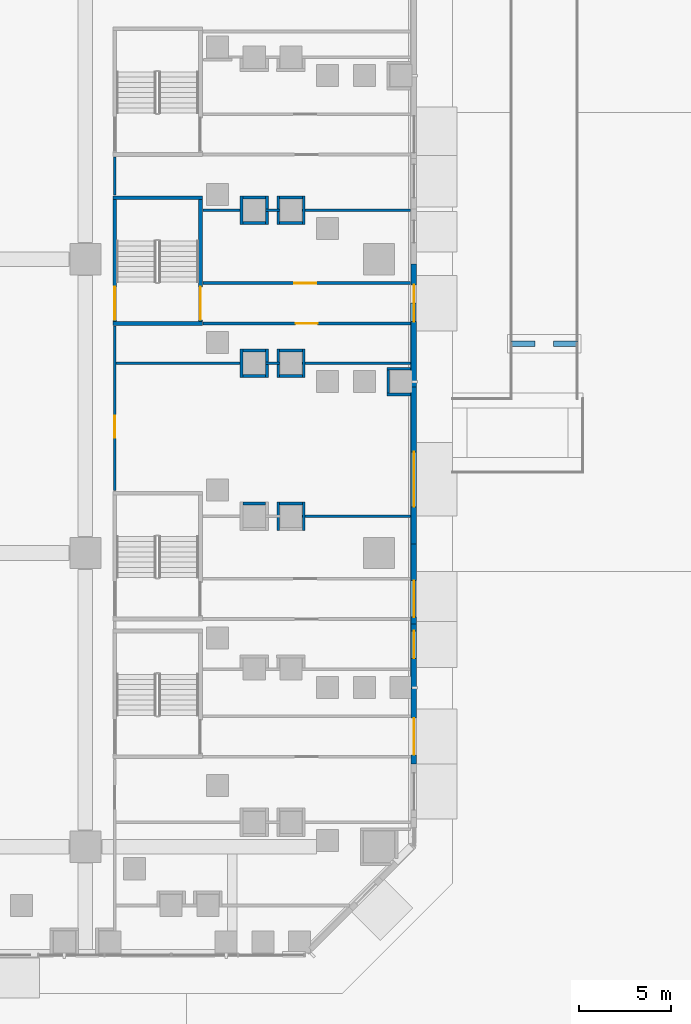
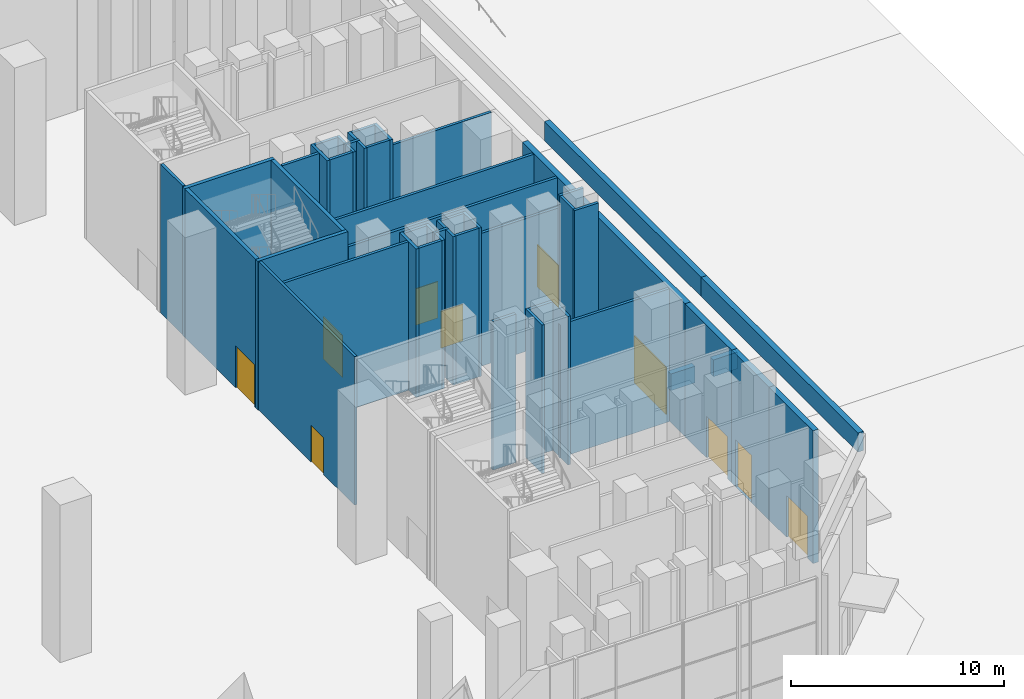
# One storey, part 22 of 51: 47 walls, 10 doors, 10 openings, 1 element without a shape of its own.
"""IFC4 building model written with IfcOpenShell, lengths in metres."""

from ifc_helpers import new_model, si_unit, direction, frame, frame_2d, origin, place, context, subcontext, project, spatial, rectangle, extrude, material, layer, layer_set, type_object, element, fill, aggregate, save


model = new_model("IFC4")

# Units and contexts
model_context = context("Model", 3, precision=1e-05, world=origin(), true_north=direction((0.0, 1.0)))
body_context = subcontext(model_context, "Body", "Model", "MODEL_VIEW")
ifc_project = project(units=[si_unit("LENGTHUNIT", "METRE"), si_unit("AREAUNIT", "SQUARE_METRE"), si_unit("VOLUMEUNIT", "CUBIC_METRE"), si_unit("PLANEANGLEUNIT", "RADIAN"), si_unit("MASSUNIT", "GRAM", prefix="KILO")], contexts=[model_context])

# Site, building, storey
site_placement = place(None, origin())
site = spatial("IfcSite", under=ifc_project, at=site_placement, CompositionType="ELEMENT")
building_placement = place(site_placement, origin())
building = spatial("IfcBuilding", under=site, at=building_placement, Name="Calabash Gate Tower", CompositionType="ELEMENT")
storey_placement = place(building_placement, origin())
storey = spatial("IfcBuildingStorey", under=building, at=storey_placement, Name="L00", CompositionType="ELEMENT", Elevation=0.0)

# Walls
ifc_material_1 = material(Name="Gypsum board on steel studs, mineral wool", Category="steel")
ifc_layer_1 = layer(ifc_material_1, 0.14990234375)
ifc_layer_set_1 = layer_set([ifc_layer_1], Name="Partition 150 gypsum board")
wall_type_1 = type_object("IfcWallType", Name="Partition 150 gypsum board", PredefinedType="PARTITIONING", material=ifc_layer_set_1)
for number, where, z_axis, x_axis, name in (
    (1, (42.5, -22.77587890625, 0.0), (0.0, 0.0, 1.0), (0.0, 1.0, 0.0), "Partition"),
    (2, (43.89990234375, -22.77587890625, 0.0), (0.0, 0.0, 1.0), (0.0, 1.0, 0.0), "Partition"),
):
    element("IfcWall", number, at=place(storey_placement, frame(where, z_axis=z_axis, x_axis=x_axis)), inside=storey, type_object=wall_type_1, Name=name, PredefinedType="PARTITIONING", context=body_context, shape_type="SweptSolid", body=[
        extrude(rectangle(XDim=1.5498046875, YDim=0.14990234375, at=frame_2d((0.77490234375, 0.0))), origin(), (0.0, 0.0, 1.0), 8.5),
    ])
wall_1_placement = place(storey_placement, frame((43.800048828125, -22.0, 0.0), z_axis=(0.0, 0.0, 1.0), x_axis=(1.0, 0.0, 0.0)))
element("IfcWall", 3, at=wall_1_placement, inside=storey, type_object=wall_type_1, Name="Partition", PredefinedType="PARTITIONING", context=body_context, shape_type="SweptSolid", body=[
    extrude(rectangle(XDim=5.919921875, YDim=0.14990234375, at=frame_2d((2.9599609375, 0.0))), origin(), (0.0, 0.0, 1.0), 7.60009765625),
])
for number, where, z_axis, x_axis, name in (
    (4, (40.574951171875, -21.301025390625, 0.0), (0.0, 0.0, 1.0), (1.0, 0.0, 0.0), "Partition"),
    (5, (42.574951171875, -21.301025390625, 0.0), (0.0, 0.0, 1.0), (1.0, 0.0, 0.0), "Partition"),
):
    element("IfcWall", number, at=place(storey_placement, frame(where, z_axis=z_axis, x_axis=x_axis)), inside=storey, type_object=wall_type_1, Name=name, PredefinedType="PARTITIONING", context=body_context, shape_type="SweptSolid", body=[
        extrude(rectangle(XDim=1.25, YDim=0.14990234375, at=frame_2d((0.625, 0.0))), origin(), (0.0, 0.0, 1.0), 8.5),
    ])

# Wall, opening, door
wall_2_placement = place(storey_placement, frame((33.60009765625, -20.610107421875, 0.0), z_axis=(0.0, 0.0, 1.0), x_axis=(0.0, 1.0, 0.0)))
wall_2 = element("IfcWall", 6, at=wall_2_placement, inside=storey, type_object=wall_type_1, Name="Partition", PredefinedType="PARTITIONING", context=body_context, shape_type="SweptSolid", body=[
    extrude(rectangle(XDim=8.97021484375, YDim=0.14990234375, at=frame_2d((4.485107421875, 0.0))), origin(), (0.0, 0.0, 1.0), 8.5),
])
opening_1_placement = place(wall_2_placement, frame((2.889892578125, 0.0, 0.0)))
opening_1 = element("IfcOpeningElement", 7, at=opening_1_placement, cuts=wall_2, Name="Opening L00-101", PredefinedType="OPENING", context=body_context, shape_type="SweptSolid", body=[
    extrude(rectangle(XDim=1.199951171875, YDim=2.10009765625, at=frame_2d((0.60009765625, 1.050048828125))), frame((0.0, 0.0849609375, 0.0), z_axis=(0.0, -1.0, 0.0), x_axis=(1.0, 0.0, 0.0)), (0.0, 0.0, 1.0), 0.169921875),
])
ifc_material_2 = material(Name="Steel fire door set with fire-resisting glazing", Category="steel")
door_type_1 = type_object("IfcDoorType", Name="Fire door D09 1200x2100 FD60", OperationType="NOTDEFINED", PredefinedType="DOOR", material=ifc_material_2)
door_1_placement = place(opening_1_placement, origin())
door_1 = element("IfcDoor", 8, at=door_1_placement, inside=storey, type_object=door_type_1, Name="Shop 14 door", OperationType="SINGLE_SWING_RIGHT", OverallHeight=2.10009765625, OverallWidth=1.199951171875, PredefinedType="DOOR", context=body_context, shape_type="SweptSolid", body=[
    extrude(rectangle(XDim=1.199951171875, YDim=2.10009765625, at=frame_2d((0.60009765625, 1.050048828125))), frame((0.0, 0.02490234375, 0.0), z_axis=(0.0, -1.0, 0.0), x_axis=(1.0, 0.0, 0.0)), (0.0, 0.0, 1.0), 0.050048828125),
])
fill(opening_1, door_1)

# Walls
wall_3_placement = place(storey_placement, frame((48.425048828125, -15.366943359375, 0.0), z_axis=(0.0, 0.0, 1.0), x_axis=(1.0, 0.0, 0.0)))
element("IfcWall", 9, at=wall_3_placement, inside=storey, type_object=wall_type_1, Name="Partition", PredefinedType="PARTITIONING", context=body_context, shape_type="SweptSolid", body=[
    extrude(rectangle(XDim=1.294921875, YDim=0.14990234375, at=frame_2d((0.6474609375, 0.0))), origin(), (0.0, 0.0, 1.0), 8.5),
])
wall_4_placement = place(storey_placement, frame((48.5, -15.2919921875, 0.0), z_axis=(0.0, 0.0, 1.0), x_axis=(0.0, 1.0, 0.0)))
element("IfcWall", 10, at=wall_4_placement, inside=storey, type_object=wall_type_1, Name="Partition", PredefinedType="PARTITIONING", context=body_context, shape_type="SweptSolid", body=[
    extrude(rectangle(XDim=1.25, YDim=0.14990234375, at=frame_2d((0.625, 0.0))), origin(), (0.0, 0.0, 1.0), 8.5),
])
wall_5_placement = place(storey_placement, frame((40.5, -14.44189453125, 0.0), z_axis=(0.0, 0.0, 1.0), x_axis=(0.0, 1.0, 0.0)))
element("IfcWall", 11, at=wall_5_placement, inside=storey, type_object=wall_type_1, Name="Partition", PredefinedType="PARTITIONING", context=body_context, shape_type="SweptSolid", body=[
    extrude(rectangle(XDim=1.5498046875, YDim=0.14990234375, at=frame_2d((0.77490234375, 0.0))), origin(), (0.0, 0.0, 1.0), 8.5),
])
wall_6_placement = place(storey_placement, frame((40.574951171875, -14.366943359375, 0.0), z_axis=(0.0, 0.0, 1.0), x_axis=(1.0, 0.0, 0.0)))
element("IfcWall", 12, at=wall_6_placement, inside=storey, type_object=wall_type_1, Name="Partition", PredefinedType="PARTITIONING", context=body_context, shape_type="SweptSolid", body=[
    extrude(rectangle(XDim=1.25, YDim=0.14990234375, at=frame_2d((0.625, 0.0))), origin(), (0.0, 0.0, 1.0), 8.5),
])
for number, where, z_axis, x_axis, name in (
    (13, (41.89990234375, -14.44189453125, 0.0), (0.0, 0.0, 1.0), (0.0, 1.0, 0.0), "Partition"),
    (14, (42.5, -14.44189453125, 0.0), (0.0, 0.0, 1.0), (0.0, 1.0, 0.0), "Partition"),
):
    element("IfcWall", number, at=place(storey_placement, frame(where, z_axis=z_axis, x_axis=x_axis)), inside=storey, type_object=wall_type_1, Name=name, PredefinedType="PARTITIONING", context=body_context, shape_type="SweptSolid", body=[
        extrude(rectangle(XDim=1.5498046875, YDim=0.14990234375, at=frame_2d((0.77490234375, 0.0))), origin(), (0.0, 0.0, 1.0), 8.5),
    ])
wall_7_placement = place(storey_placement, frame((42.574951171875, -14.366943359375, 0.0), z_axis=(0.0, 0.0, 1.0), x_axis=(1.0, 0.0, 0.0)))
element("IfcWall", 15, at=wall_7_placement, inside=storey, type_object=wall_type_1, Name="Partition", PredefinedType="PARTITIONING", context=body_context, shape_type="SweptSolid", body=[
    extrude(rectangle(XDim=1.25, YDim=0.14990234375, at=frame_2d((0.625, 0.0))), origin(), (0.0, 0.0, 1.0), 8.5),
])
wall_8_placement = place(storey_placement, frame((43.89990234375, -14.44189453125, 0.0), z_axis=(0.0, 0.0, 1.0), x_axis=(0.0, 1.0, 0.0)))
element("IfcWall", 16, at=wall_8_placement, inside=storey, type_object=wall_type_1, Name="Partition", PredefinedType="PARTITIONING", context=body_context, shape_type="SweptSolid", body=[
    extrude(rectangle(XDim=1.5498046875, YDim=0.14990234375, at=frame_2d((0.77490234375, 0.0))), origin(), (0.0, 0.0, 1.0), 8.5),
])
wall_9_placement = place(storey_placement, frame((48.425048828125, -13.967041015625, 0.0), z_axis=(0.0, 0.0, 1.0), x_axis=(1.0, 0.0, 0.0)))
element("IfcWall", 17, at=wall_9_placement, inside=storey, type_object=wall_type_1, Name="Partition", PredefinedType="PARTITIONING", context=body_context, shape_type="SweptSolid", body=[
    extrude(rectangle(XDim=1.294921875, YDim=0.14990234375, at=frame_2d((0.6474609375, 0.0))), origin(), (0.0, 0.0, 1.0), 8.5),
])
wall_10_placement = place(storey_placement, frame((33.675048828125, -13.669921875, 0.0), z_axis=(0.0, 0.0, 1.0), x_axis=(1.0, 0.0, 0.0)))
element("IfcWall", 18, at=wall_10_placement, inside=storey, type_object=wall_type_1, Name="Partition", PredefinedType="PARTITIONING", context=body_context, shape_type="SweptSolid", body=[
    extrude(rectangle(XDim=6.925048828125, YDim=0.14990234375, at=frame_2d((3.46240234375, 0.0))), origin(), (0.0, 0.0, 1.0), 8.5),
])
wall_11_placement = place(storey_placement, frame((41.800048828125, -13.669921875, 0.0), z_axis=(0.0, 0.0, 1.0), x_axis=(1.0, 0.0, 0.0)))
element("IfcWall", 19, at=wall_11_placement, inside=storey, type_object=wall_type_1, Name="Partition", PredefinedType="PARTITIONING", context=body_context, shape_type="SweptSolid", body=[
    extrude(rectangle(XDim=0.800048828125, YDim=0.14990234375, at=frame_2d((0.39990234375, 0.0))), origin(), (0.0, 0.0, 1.0), 8.5),
])
wall_12_placement = place(storey_placement, frame((43.800048828125, -13.669921875, 0.0), z_axis=(0.0, 0.0, 1.0), x_axis=(1.0, 0.0, 0.0)))
element("IfcWall", 20, at=wall_12_placement, inside=storey, type_object=wall_type_1, Name="Partition", PredefinedType="PARTITIONING", context=body_context, shape_type="SweptSolid", body=[
    extrude(rectangle(XDim=5.919921875, YDim=0.14990234375, at=frame_2d((2.9599609375, 0.0))), origin(), (0.0, 0.0, 1.0), 7.60009765625),
])
for number, where, z_axis, x_axis, name in (
    (21, (40.574951171875, -12.967041015625, 0.0), (0.0, 0.0, 1.0), (1.0, 0.0, 0.0), "Partition"),
    (22, (42.574951171875, -12.967041015625, 0.0), (0.0, 0.0, 1.0), (1.0, 0.0, 0.0), "Partition"),
):
    element("IfcWall", number, at=place(storey_placement, frame(where, z_axis=z_axis, x_axis=x_axis)), inside=storey, type_object=wall_type_1, Name=name, PredefinedType="PARTITIONING", context=body_context, shape_type="SweptSolid", body=[
        extrude(rectangle(XDim=1.25, YDim=0.14990234375, at=frame_2d((0.625, 0.0))), origin(), (0.0, 0.0, 1.0), 8.5),
    ])

# Wall, opening, door
wall_13_placement = place(storey_placement, frame((38.409912109375, -11.50048828125, 0.0), z_axis=(0.0, 0.0, 1.0), x_axis=(1.0, 0.0, 0.0)))
wall_13 = element("IfcWall", 23, at=wall_13_placement, inside=storey, type_object=wall_type_1, Name="Partition", PredefinedType="PARTITIONING", context=body_context, shape_type="SweptSolid", body=[
    extrude(rectangle(XDim=11.31005859375, YDim=0.15087890625, at=frame_2d((5.655029296875, 0.0))), origin(), (0.0, 0.0, 1.0), 7.60009765625),
])
opening_2_placement = place(wall_13_placement, frame((5.0400390625, 0.0, 0.0)))
opening_2 = element("IfcOpeningElement", 24, at=opening_2_placement, cuts=wall_13, Name="Opening L00-102", PredefinedType="OPENING", context=body_context, shape_type="SweptSolid", body=[
    extrude(rectangle(XDim=1.199951171875, YDim=2.10009765625, at=frame_2d((0.60009765625, 1.050048828125))), frame((0.0, 0.08544921875, 0.0), z_axis=(0.0, -1.0, 0.0), x_axis=(1.0, 0.0, 0.0)), (0.0, 0.0, 1.0), 0.1708984375),
])
door_2_placement = place(opening_2_placement, origin())
door_2 = element("IfcDoor", 25, at=door_2_placement, inside=storey, type_object=door_type_1, Name="Shop 15 door", OperationType="SINGLE_SWING_LEFT", OverallHeight=2.10009765625, OverallWidth=1.199951171875, PredefinedType="DOOR", context=body_context, shape_type="SweptSolid", body=[
    extrude(rectangle(XDim=1.199951171875, YDim=2.10009765625, at=frame_2d((0.60009765625, 1.050048828125))), frame((0.0, 0.02490234375, 0.0), z_axis=(0.0, -1.0, 0.0), x_axis=(1.0, 0.0, 0.0)), (0.0, 0.0, 1.0), 0.050048828125),
])
fill(opening_2, door_2)

wall_14_placement = place(storey_placement, frame((38.409912109375, -9.299560546875, 0.0), z_axis=(0.0, 0.0, 1.0), x_axis=(1.0, 0.0, 0.0)))
wall_14 = element("IfcWall", 26, at=wall_14_placement, inside=storey, type_object=wall_type_1, Name="Partition", PredefinedType="PARTITIONING", context=body_context, shape_type="SweptSolid", body=[
    extrude(rectangle(XDim=11.31005859375, YDim=0.15087890625, at=frame_2d((5.655029296875, 0.0))), origin(), (0.0, 0.0, 1.0), 7.60009765625),
])
opening_3_placement = place(wall_14_placement, frame((4.9609375, 0.0, 0.0)))
opening_3 = element("IfcOpeningElement", 27, at=opening_3_placement, cuts=wall_14, Name="Opening L00-103", PredefinedType="OPENING", context=body_context, shape_type="SweptSolid", body=[
    extrude(rectangle(XDim=1.199951171875, YDim=2.10009765625, at=frame_2d((0.60009765625, 1.050048828125))), frame((0.0, 0.08544921875, 0.0), z_axis=(0.0, -1.0, 0.0), x_axis=(1.0, 0.0, 0.0)), (0.0, 0.0, 1.0), 0.1708984375),
])
ifc_material_3 = material(Name="Painted timber door", Category="wood")
door_type_2 = type_object("IfcDoorType", Name="Door D19 1200x2100", OperationType="NOTDEFINED", PredefinedType="DOOR", material=ifc_material_3)
door_3_placement = place(opening_3_placement, origin())
door_3 = element("IfcDoor", 28, at=door_3_placement, inside=storey, type_object=door_type_2, Name="Shop 15 door", OperationType="SINGLE_SWING_LEFT", OverallHeight=2.10009765625, OverallWidth=1.199951171875, PredefinedType="DOOR", context=body_context, shape_type="SweptSolid", body=[
    extrude(rectangle(XDim=1.199951171875, YDim=2.10009765625, at=frame_2d((0.60009765625, 1.050048828125))), frame((0.0, 0.02490234375, 0.0), z_axis=(0.0, -1.0, 0.0), x_axis=(1.0, 0.0, 0.0)), (0.0, 0.0, 1.0), 0.050048828125),
])
fill(opening_3, door_3)

# Walls
wall_15_placement = place(storey_placement, frame((40.5, -6.10791015625, 0.0), z_axis=(0.0, 0.0, 1.0), x_axis=(0.0, 1.0, 0.0)))
element("IfcWall", 29, at=wall_15_placement, inside=storey, type_object=wall_type_1, Name="Partition", PredefinedType="PARTITIONING", context=body_context, shape_type="SweptSolid", body=[
    extrude(rectangle(XDim=1.5498046875, YDim=0.14990234375, at=frame_2d((0.77490234375, 0.0))), origin(), (0.0, 0.0, 1.0), 8.5),
])
wall_16_placement = place(storey_placement, frame((40.574951171875, -6.032958984375, 0.0), z_axis=(0.0, 0.0, 1.0), x_axis=(1.0, 0.0, 0.0)))
element("IfcWall", 30, at=wall_16_placement, inside=storey, type_object=wall_type_1, Name="Partition", PredefinedType="PARTITIONING", context=body_context, shape_type="SweptSolid", body=[
    extrude(rectangle(XDim=1.25, YDim=0.14990234375, at=frame_2d((0.625, 0.0))), origin(), (0.0, 0.0, 1.0), 8.5),
])
for number, where, z_axis, x_axis, name in (
    (31, (41.89990234375, -6.10791015625, 0.0), (0.0, 0.0, 1.0), (0.0, 1.0, 0.0), "Partition"),
    (32, (42.5, -6.10791015625, 0.0), (0.0, 0.0, 1.0), (0.0, 1.0, 0.0), "Partition"),
):
    element("IfcWall", number, at=place(storey_placement, frame(where, z_axis=z_axis, x_axis=x_axis)), inside=storey, type_object=wall_type_1, Name=name, PredefinedType="PARTITIONING", context=body_context, shape_type="SweptSolid", body=[
        extrude(rectangle(XDim=1.5498046875, YDim=0.14990234375, at=frame_2d((0.77490234375, 0.0))), origin(), (0.0, 0.0, 1.0), 8.5),
    ])
wall_17_placement = place(storey_placement, frame((42.574951171875, -6.032958984375, 0.0), z_axis=(0.0, 0.0, 1.0), x_axis=(1.0, 0.0, 0.0)))
element("IfcWall", 33, at=wall_17_placement, inside=storey, type_object=wall_type_1, Name="Partition", PredefinedType="PARTITIONING", context=body_context, shape_type="SweptSolid", body=[
    extrude(rectangle(XDim=1.25, YDim=0.14990234375, at=frame_2d((0.625, 0.0))), origin(), (0.0, 0.0, 1.0), 8.5),
])
wall_18_placement = place(storey_placement, frame((43.89990234375, -6.10791015625, 0.0), z_axis=(0.0, 0.0, 1.0), x_axis=(0.0, 1.0, 0.0)))
element("IfcWall", 34, at=wall_18_placement, inside=storey, type_object=wall_type_1, Name="Partition", PredefinedType="PARTITIONING", context=body_context, shape_type="SweptSolid", body=[
    extrude(rectangle(XDim=1.5498046875, YDim=0.14990234375, at=frame_2d((0.77490234375, 0.0))), origin(), (0.0, 0.0, 1.0), 8.5),
])
wall_19_placement = place(storey_placement, frame((38.409912109375, -5.330078125, 0.0), z_axis=(0.0, 0.0, 1.0), x_axis=(1.0, 0.0, 0.0)))
element("IfcWall", 35, at=wall_19_placement, inside=storey, type_object=wall_type_1, Name="Partition", PredefinedType="PARTITIONING", context=body_context, shape_type="SweptSolid", body=[
    extrude(rectangle(XDim=2.190185546875, YDim=0.14990234375, at=frame_2d((1.09521484375, 0.0))), origin(), (0.0, 0.0, 1.0), 8.5),
])
wall_20_placement = place(storey_placement, frame((41.800048828125, -5.330078125, 0.0), z_axis=(0.0, 0.0, 1.0), x_axis=(1.0, 0.0, 0.0)))
element("IfcWall", 36, at=wall_20_placement, inside=storey, type_object=wall_type_1, Name="Partition", PredefinedType="PARTITIONING", context=body_context, shape_type="SweptSolid", body=[
    extrude(rectangle(XDim=0.800048828125, YDim=0.14990234375, at=frame_2d((0.39990234375, 0.0))), origin(), (0.0, 0.0, 1.0), 8.5),
])
wall_21_placement = place(storey_placement, frame((43.800048828125, -5.330078125, 0.0), z_axis=(0.0, 0.0, 1.0), x_axis=(1.0, 0.0, 0.0)))
element("IfcWall", 37, at=wall_21_placement, inside=storey, type_object=wall_type_1, Name="Partition", PredefinedType="PARTITIONING", context=body_context, shape_type="SweptSolid", body=[
    extrude(rectangle(XDim=5.919921875, YDim=0.14990234375, at=frame_2d((2.9599609375, 0.0))), origin(), (0.0, 0.0, 1.0), 7.60009765625),
])
for number, where, z_axis, x_axis, name in (
    (38, (40.574951171875, -4.633056640625, 0.0), (0.0, 0.0, 1.0), (1.0, 0.0, 0.0), "Partition"),
    (39, (42.574951171875, -4.633056640625, 0.0), (0.0, 0.0, 1.0), (1.0, 0.0, 0.0), "Partition"),
):
    element("IfcWall", number, at=place(storey_placement, frame(where, z_axis=z_axis, x_axis=x_axis)), inside=storey, type_object=wall_type_1, Name=name, PredefinedType="PARTITIONING", context=body_context, shape_type="SweptSolid", body=[
        extrude(rectangle(XDim=1.25, YDim=0.14990234375, at=frame_2d((0.625, 0.0))), origin(), (0.0, 0.0, 1.0), 8.5),
    ])
wall_22_placement = place(storey_placement, frame((33.60009765625, -4.510009765625, 0.0), z_axis=(0.0, 0.0, 1.0), x_axis=(0.0, 1.0, 0.0)))
element("IfcWall", 40, at=wall_22_placement, inside=storey, type_object=wall_type_1, Name="Partition", PredefinedType="PARTITIONING", context=body_context, shape_type="SweptSolid", body=[
    extrude(rectangle(XDim=2.070068359375, YDim=0.14990234375, at=frame_2d((1.03515625, 0.0))), origin(), (0.0, 0.0, 1.0), 8.5),
])

# Wall, opening, door
ifc_material_4 = material(Name="Aluminium framed entrance wall with insulated spandrel", Category="aluminium")
ifc_layer_2 = layer(ifc_material_4, 0.300048828125)
ifc_layer_set_2 = layer_set([ifc_layer_2], Name="Podium entrance wall 300")
wall_type_2 = type_object("IfcWallType", Name="Podium entrance wall 300", PredefinedType="ELEMENTEDWALL", material=ifc_layer_set_2)
wall_23_placement = place(storey_placement, frame((49.89990234375, -35.498046875, 0.0), z_axis=(0.0, 0.0, 1.0), x_axis=(0.0, 1.0, 0.0)))
wall_23 = element("IfcWall", 41, at=wall_23_placement, inside=storey, type_object=wall_type_2, Name="Exit door wall L00", PredefinedType="ELEMENTEDWALL", context=body_context, shape_type="SweptSolid", body=[
    extrude(rectangle(XDim=4.125, YDim=0.300048828125, at=frame_2d((2.0625, 0.0))), origin(), (0.0, 0.0, 1.0), 7.60009765625),
])
opening_4_placement = place(wall_23_placement, frame((0.498046875, 0.0, 0.0)))
opening_4 = element("IfcOpeningElement", 42, at=opening_4_placement, cuts=wall_23, Name="Opening L00-007", PredefinedType="OPENING", context=body_context, shape_type="SweptSolid", body=[
    extrude(rectangle(XDim=2.0, YDim=2.39990234375, at=frame_2d((1.0, 1.199951171875))), frame((0.0, 0.159912109375, 0.0), z_axis=(0.0, -1.0, 0.0), x_axis=(1.0, 0.0, 0.0)), (0.0, 0.0, 1.0), 0.320068359375),
])
ifc_material_5 = material(Name="Steel, powder coated, glazed vision panel", Category="steel")
door_type_3 = type_object("IfcDoorType", Name="Podium door DX200 2000x2400", OperationType="DOUBLE_DOOR_SINGLE_SWING", PredefinedType="DOOR", material=ifc_material_5)
door_4_placement = place(opening_4_placement, origin())
door_4 = element("IfcDoor", 43, at=door_4_placement, inside=storey, type_object=door_type_3, Name="Exit door L00", OperationType="DOUBLE_DOOR_SINGLE_SWING", OverallHeight=2.39990234375, OverallWidth=2.0, PredefinedType="DOOR", context=body_context, shape_type="SweptSolid", body=[
    extrude(rectangle(XDim=2.0, YDim=2.39990234375, at=frame_2d((1.0, 1.199951171875))), frame((0.0, 0.02490234375, 0.0), z_axis=(0.0, -1.0, 0.0), x_axis=(1.0, 0.0, 0.0)), (0.0, 0.0, 1.0), 0.050048828125),
])
fill(opening_4, door_4)

wall_24_placement = place(storey_placement, frame((49.89990234375, -31.373046875, 0.0), z_axis=(0.0, 0.0, 1.0), x_axis=(0.0, 1.0, 0.0)))
wall_24 = element("IfcWall", 44, at=wall_24_placement, inside=storey, type_object=wall_type_2, Name="Entrance door wall L00", PredefinedType="ELEMENTEDWALL", context=body_context, shape_type="SweptSolid", body=[
    extrude(rectangle(XDim=3.5, YDim=0.300048828125, at=frame_2d((1.75, 0.0))), origin(), (0.0, 0.0, 1.0), 7.60009765625),
])
opening_5_placement = place(wall_24_placement, frame((1.626953125, 0.0, 0.0)))
opening_5 = element("IfcOpeningElement", 45, at=opening_5_placement, cuts=wall_24, Name="Opening L00-008", PredefinedType="OPENING", context=body_context, shape_type="SweptSolid", body=[
    extrude(rectangle(XDim=1.5, YDim=2.699951171875, at=frame_2d((0.75, 1.35009765625))), frame((0.0, 0.159912109375, 0.0), z_axis=(0.0, -1.0, 0.0), x_axis=(1.0, 0.0, 0.0)), (0.0, 0.0, 1.0), 0.320068359375),
])
ifc_material_6 = material(Name="Anodised aluminium frame, bronze finish, impact-rated laminated clear glazing", Category="aluminium")
door_type_4 = type_object("IfcDoorType", Name="Podium door DE150 1500x2700", OperationType="DOUBLE_DOOR_SINGLE_SWING", PredefinedType="DOOR", material=ifc_material_6)
door_5_placement = place(opening_5_placement, origin())
door_5 = element("IfcDoor", 46, at=door_5_placement, inside=storey, type_object=door_type_4, Name="Entrance door L00", OperationType="DOUBLE_DOOR_SINGLE_SWING", OverallHeight=2.699951171875, OverallWidth=1.5, PredefinedType="DOOR", context=body_context, shape_type="SweptSolid", body=[
    extrude(rectangle(XDim=1.5, YDim=2.699951171875, at=frame_2d((0.75, 1.35009765625))), frame((0.0, 0.02490234375, 0.0), z_axis=(0.0, -1.0, 0.0), x_axis=(1.0, 0.0, 0.0)), (0.0, 0.0, 1.0), 0.050048828125),
])
fill(opening_5, door_5)

wall_25_placement = place(storey_placement, frame((49.89990234375, -27.873046875, 0.0), z_axis=(0.0, 0.0, 1.0), x_axis=(0.0, 1.0, 0.0)))
wall_25 = element("IfcWall", 47, at=wall_25_placement, inside=storey, type_object=wall_type_2, Name="Exit door wall L00", PredefinedType="ELEMENTEDWALL", context=body_context, shape_type="SweptSolid", body=[
    extrude(rectangle(XDim=4.375, YDim=0.300048828125, at=frame_2d((2.1875, 0.0))), origin(), (0.0, 0.0, 1.0), 7.60009765625),
])
opening_6_placement = place(wall_25_placement, frame((0.373046875, 0.0, 0.0)))
opening_6 = element("IfcOpeningElement", 48, at=opening_6_placement, cuts=wall_25, Name="Opening L00-009", PredefinedType="OPENING", context=body_context, shape_type="SweptSolid", body=[
    extrude(rectangle(XDim=2.0, YDim=2.39990234375, at=frame_2d((1.0, 1.199951171875))), frame((0.0, 0.159912109375, 0.0), z_axis=(0.0, -1.0, 0.0), x_axis=(1.0, 0.0, 0.0)), (0.0, 0.0, 1.0), 0.320068359375),
])
door_6_placement = place(opening_6_placement, origin())
door_6 = element("IfcDoor", 49, at=door_6_placement, inside=storey, type_object=door_type_3, Name="Exit door L00", OperationType="DOUBLE_DOOR_SINGLE_SWING", OverallHeight=2.39990234375, OverallWidth=2.0, PredefinedType="DOOR", context=body_context, shape_type="SweptSolid", body=[
    extrude(rectangle(XDim=2.0, YDim=2.39990234375, at=frame_2d((1.0, 1.199951171875))), frame((0.0, 0.02490234375, 0.0), z_axis=(0.0, -1.0, 0.0), x_axis=(1.0, 0.0, 0.0)), (0.0, 0.0, 1.0), 0.050048828125),
])
fill(opening_6, door_6)

wall_26_placement = place(storey_placement, frame((49.89990234375, -23.498046875, 0.0), z_axis=(0.0, 0.0, 1.0), x_axis=(0.0, 1.0, 0.0)))
wall_26 = element("IfcWall", 50, at=wall_26_placement, inside=storey, type_object=wall_type_2, Name="Entrance door wall L00", PredefinedType="ELEMENTEDWALL", context=body_context, shape_type="SweptSolid", body=[
    extrude(rectangle(XDim=8.550048828125, YDim=0.300048828125, at=frame_2d((4.27490234375, 0.0))), origin(), (0.0, 0.0, 1.0), 7.60009765625),
])
opening_7_placement = place(wall_26_placement, frame((2.001953125, 0.0, 0.0)))
opening_7 = element("IfcOpeningElement", 51, at=opening_7_placement, cuts=wall_26, Name="Opening L00-010", PredefinedType="OPENING", context=body_context, shape_type="SweptSolid", body=[
    extrude(rectangle(XDim=3.0, YDim=2.699951171875, at=frame_2d((1.5, 1.35009765625))), frame((0.0, 0.159912109375, 0.0), z_axis=(0.0, -1.0, 0.0), x_axis=(1.0, 0.0, 0.0)), (0.0, 0.0, 1.0), 0.320068359375),
])
ifc_material_7 = material(Name="Anodised aluminium frame, bronze finish, impact-rated laminated clear glazing", Category="aluminium")
door_type_5 = type_object("IfcDoorType", Name="Podium door DE300 3000x2700", OperationType="DOUBLE_DOOR_SINGLE_SWING", PredefinedType="DOOR", material=ifc_material_7)
door_7_placement = place(opening_7_placement, origin())
door_7 = element("IfcDoor", 52, at=door_7_placement, inside=storey, type_object=door_type_5, Name="Entrance door L00", OperationType="DOUBLE_DOOR_SINGLE_SWING", OverallHeight=2.699951171875, OverallWidth=3.0, PredefinedType="DOOR", context=body_context, shape_type="SweptSolid", body=[
    extrude(rectangle(XDim=3.0, YDim=2.699951171875, at=frame_2d((1.5, 1.35009765625))), frame((0.0, 0.02490234375, 0.0), z_axis=(0.0, -1.0, 0.0), x_axis=(1.0, 0.0, 0.0)), (0.0, 0.0, 1.0), 0.050048828125),
])
fill(opening_7, door_7)

wall_27_placement = place(storey_placement, frame((49.89990234375, -14.947998046875, 0.0), z_axis=(0.0, 0.0, 1.0), x_axis=(0.0, 1.0, 0.0)))
wall_27 = element("IfcWall", 53, at=wall_27_placement, inside=storey, type_object=wall_type_2, Name="Exit door wall L00", PredefinedType="ELEMENTEDWALL", context=body_context, shape_type="SweptSolid", body=[
    extrude(rectangle(XDim=6.699951171875, YDim=0.300048828125, at=frame_2d((3.35009765625, 0.0))), origin(), (0.0, 0.0, 1.0), 7.60009765625),
])
opening_8_placement = place(wall_27_placement, frame((3.548095703125, 0.0, 0.0)))
opening_8 = element("IfcOpeningElement", 54, at=opening_8_placement, cuts=wall_27, Name="Opening L00-011", PredefinedType="OPENING", context=body_context, shape_type="SweptSolid", body=[
    extrude(rectangle(XDim=2.0, YDim=2.39990234375, at=frame_2d((1.0, 1.199951171875))), frame((0.0, 0.159912109375, 0.0), z_axis=(0.0, -1.0, 0.0), x_axis=(1.0, 0.0, 0.0)), (0.0, 0.0, 1.0), 0.320068359375),
])
door_8_placement = place(opening_8_placement, origin())
door_8 = element("IfcDoor", 55, at=door_8_placement, inside=storey, type_object=door_type_3, Name="Exit door L00", OperationType="DOUBLE_DOOR_SINGLE_SWING", OverallHeight=2.39990234375, OverallWidth=2.0, PredefinedType="DOOR", context=body_context, shape_type="SweptSolid", body=[
    extrude(rectangle(XDim=2.0, YDim=2.39990234375, at=frame_2d((1.0, 1.199951171875))), frame((0.0, 0.02490234375, 0.0), z_axis=(0.0, -1.0, 0.0), x_axis=(1.0, 0.0, 0.0)), (0.0, 0.0, 1.0), 0.050048828125),
])
fill(opening_8, door_8)

# Walls
ifc_material_8 = material(Name="Terracotta brick masonry, exposed face", Category="masonry")
ifc_layer_3 = layer(ifc_material_8, 0.300048828125)
ifc_layer_set_3 = layer_set([ifc_layer_3], Name="Podium parapet wall 300")
wall_type_3 = type_object("IfcWallType", Name="Podium parapet wall 300", PredefinedType="PARAPET", material=ifc_layer_set_3)
for number, where, z_axis, x_axis, name in (
    (56, (49.85009765625, -39.7900390625, 9.0), (0.0, 0.0, 1.0), (0.0, 1.0, 0.0), "Podium parapet L00 2.0.0"),
    (57, (49.85009765625, -25.092529296875, 9.0), (0.0, 0.0, 1.0), (0.0, 1.0, 0.0), "Podium parapet L00 2.0.1"),
):
    element("IfcWall", number, at=place(storey_placement, frame(where, z_axis=z_axis, x_axis=x_axis)), inside=storey, type_object=wall_type_3, Name=name, PredefinedType="PARAPET", context=body_context, shape_type="SweptSolid", body=[
        extrude(rectangle(XDim=14.697509765625, YDim=0.300048828125, at=frame_2d((7.3486328125, 0.0))), origin(), (0.0, 0.0, 1.0), 1.10009765625),
    ])

# Assembly, walls
assembly_placement = place(storey_placement, origin())
assembly = element("IfcElementAssembly", 58, at=assembly_placement, inside=storey, Name="Entry Ramp", ObjectType="Vehicle ramp", PredefinedType="USERDEFINED")
ifc_material_9 = material(Name="Concrete C40/50", Category="concrete")
ifc_layer_4 = layer(ifc_material_9, 0.300048828125)
ifc_layer_set_4 = layer_set([ifc_layer_4], Name="Ramp support wall 300")
wall_type_4 = type_object("IfcWallType", Name="Ramp support wall 300", PredefinedType="SOLIDWALL", material=ifc_layer_set_4)
wall_28_placement = place(storey_placement, frame((55.199951171875, -12.60009765625, -5.800048828125), z_axis=(0.0, 0.0, 1.0), x_axis=(1.0, 0.0, 0.0)))
wall_28 = element("IfcWall", 59, at=wall_28_placement, type_object=wall_type_4, Name="Entry Ramp support wall", PredefinedType="SOLIDWALL", context=body_context, shape_type="SweptSolid", body=[
    extrude(rectangle(XDim=1.300048828125, YDim=0.300048828125, at=frame_2d((0.64990234375, 0.0))), origin(), (0.0, 0.0, 1.0), 0.949951171875),
])
wall_29_placement = place(storey_placement, frame((57.5, -12.60009765625, -5.800048828125), z_axis=(0.0, 0.0, 1.0), x_axis=(1.0, 0.0, 0.0)))
wall_29 = element("IfcWall", 60, at=wall_29_placement, type_object=wall_type_4, Name="Entry Ramp support wall", PredefinedType="SOLIDWALL", context=body_context, shape_type="SweptSolid", body=[
    extrude(rectangle(XDim=1.300048828125, YDim=0.300048828125, at=frame_2d((0.64990234375, 0.0))), origin(), (0.0, 0.0, 1.0), 0.949951171875),
])
aggregate(assembly, [wall_28, wall_29])

# Walls
ifc_material_10 = material(Name="Concrete C40/50", Category="concrete")
ifc_layer_5 = layer(ifc_material_10, 0.199951171875)
ifc_layer_set_5 = layer_set([ifc_layer_5], Name="Stair wall 200 Concrete C40/50")
wall_type_5 = type_object("IfcWallType", Name="Stair wall 200 Concrete C40/50", PredefinedType="SOLIDWALL", material=ifc_layer_set_5)
for number, where, z_axis, x_axis, name in (
    (61, (33.5, -11.5, 0.0), (0.0, 0.0, 1.0), (1.0, 0.0, 0.0), "Stair wall"),
    (62, (33.5, -4.64990234375, 0.0), (0.0, 0.0, 1.0), (1.0, 0.0, 0.0), "Stair wall"),
):
    element("IfcWall", number, at=place(storey_placement, frame(where, z_axis=z_axis, x_axis=x_axis)), inside=storey, type_object=wall_type_5, Name=name, PredefinedType="SOLIDWALL", context=body_context, shape_type="SweptSolid", body=[
        extrude(rectangle(XDim=4.8701171875, YDim=0.199951171875, at=frame_2d((2.43505859375, 0.0))), origin(), (0.0, 0.0, 1.0), 8.5),
    ])

# Wall, opening, door
wall_30_placement = place(storey_placement, frame((33.60009765625, -11.39990234375, 0.0), z_axis=(0.0, 0.0, 1.0), x_axis=(0.0, 1.0, 0.0)))
wall_30 = element("IfcWall", 63, at=wall_30_placement, inside=storey, type_object=wall_type_5, Name="Stair wall", PredefinedType="SOLIDWALL", context=body_context, shape_type="SweptSolid", body=[
    extrude(rectangle(XDim=6.64990234375, YDim=0.199951171875, at=frame_2d((3.324951171875, 0.0))), origin(), (0.0, 0.0, 1.0), 8.5),
])
opening_9_placement = place(wall_30_placement, frame((0.10009765625, 0.0, 0.0)))
opening_9 = element("IfcOpeningElement", 64, at=opening_9_placement, cuts=wall_30, Name="Opening L00-064", PredefinedType="OPENING", context=body_context, shape_type="SweptSolid", body=[
    extrude(rectangle(XDim=1.800048828125, YDim=2.39990234375, at=frame_2d((0.89990234375, 1.199951171875))), frame((0.0, 0.10986328125, 0.0), z_axis=(0.0, -1.0, 0.0), x_axis=(1.0, 0.0, 0.0)), (0.0, 0.0, 1.0), 0.219970703125),
])
ifc_material_11 = material(Name="Steel fire door set with fire-resisting glazing", Category="steel")
door_type_6 = type_object("IfcDoorType", Name="Double fire door D16 1800x2400 FD90", OperationType="DOUBLE_DOOR_SINGLE_SWING", PredefinedType="DOOR", material=ifc_material_11)
door_9_placement = place(opening_9_placement, origin())
door_9 = element("IfcDoor", 65, at=door_9_placement, inside=storey, type_object=door_type_6, Name="Exit stair door PS8", OperationType="DOUBLE_DOOR_SINGLE_SWING", OverallHeight=2.39990234375, OverallWidth=1.800048828125, PredefinedType="DOOR", context=body_context, shape_type="SweptSolid", body=[
    extrude(rectangle(XDim=1.800048828125, YDim=2.39990234375, at=frame_2d((0.89990234375, 1.199951171875))), frame((0.0, 0.02490234375, 0.0), z_axis=(0.0, -1.0, 0.0), x_axis=(1.0, 0.0, 0.0)), (0.0, 0.0, 1.0), 0.050048828125),
])
fill(opening_9, door_9)

wall_31_placement = place(storey_placement, frame((38.27001953125, -11.39990234375, 0.0), z_axis=(0.0, 0.0, 1.0), x_axis=(0.0, 1.0, 0.0)))
wall_31 = element("IfcWall", 66, at=wall_31_placement, inside=storey, type_object=wall_type_5, Name="Stair wall", PredefinedType="SOLIDWALL", context=body_context, shape_type="SweptSolid", body=[
    extrude(rectangle(XDim=6.64990234375, YDim=0.199951171875, at=frame_2d((3.324951171875, 0.0))), origin(), (0.0, 0.0, 1.0), 8.5),
])
opening_10_placement = place(wall_31_placement, frame((0.10009765625, 0.0, 0.0)))
opening_10 = element("IfcOpeningElement", 67, at=opening_10_placement, cuts=wall_31, Name="Opening L00-065", PredefinedType="OPENING", context=body_context, shape_type="SweptSolid", body=[
    extrude(rectangle(XDim=1.800048828125, YDim=2.39990234375, at=frame_2d((0.89990234375, 1.199951171875))), frame((0.0, 0.10986328125, 0.0), z_axis=(0.0, -1.0, 0.0), x_axis=(1.0, 0.0, 0.0)), (0.0, 0.0, 1.0), 0.219970703125),
])
door_10_placement = place(opening_10_placement, origin())
door_10 = element("IfcDoor", 68, at=door_10_placement, inside=storey, type_object=door_type_6, Name="Exit stair door PS8", OperationType="DOUBLE_DOOR_SINGLE_SWING", OverallHeight=2.39990234375, OverallWidth=1.800048828125, PredefinedType="DOOR", context=body_context, shape_type="SweptSolid", body=[
    extrude(rectangle(XDim=1.800048828125, YDim=2.39990234375, at=frame_2d((0.89990234375, 1.199951171875))), frame((0.0, 0.02490234375, 0.0), z_axis=(0.0, -1.0, 0.0), x_axis=(1.0, 0.0, 0.0)), (0.0, 0.0, 1.0), 0.050048828125),
])
fill(opening_10, door_10)

save(model, "model.ifc")
